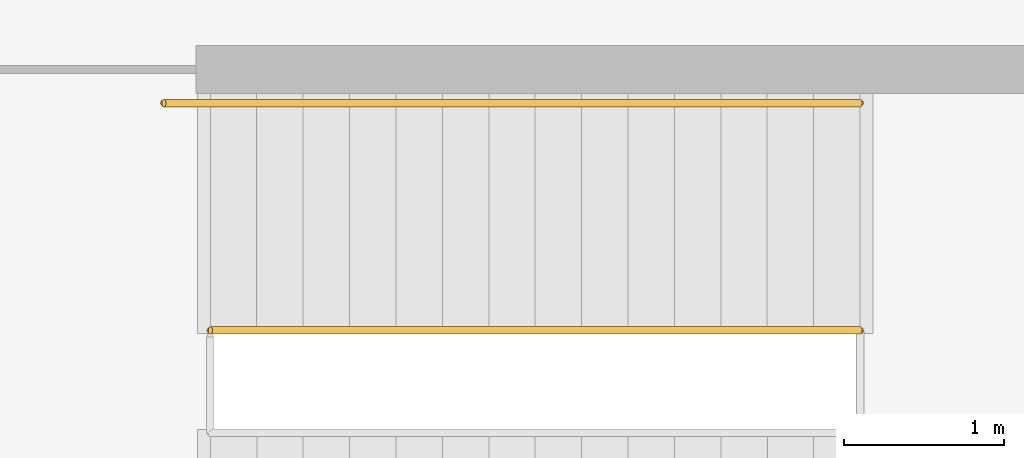
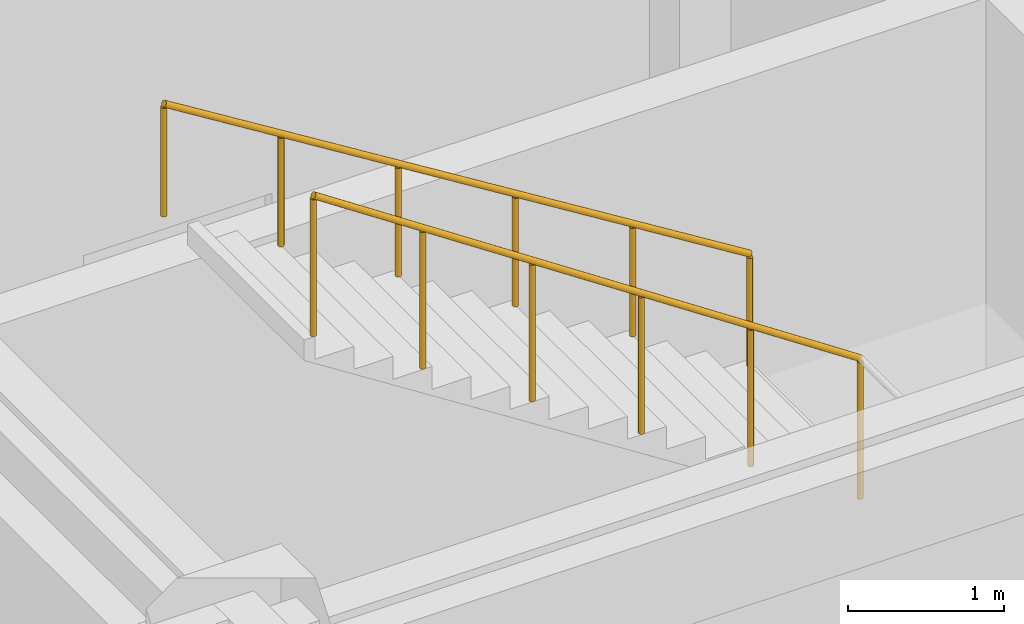
# One storey, part 36 of 36: 2 railings.
"""IFC4 building model written with IfcOpenShell, lengths in metres."""

import ifcopenshell
import ifcopenshell.guid

model = None  # the IFC model being written
_history = None  # IfcOwnerHistory: only IFC2X3 demands one
_inside = {}  # id of a spatial element -> (the spatial element, [elements in it])
_under = {}  # id of a project, library or spatial element -> (it, [spatial elements below it])
_declared = {}  # id of a project -> (the project, [libraries it declares])
_typed = {}  # id of a type object -> (the type object, [elements of that type])
_made_of = {}  # id of a material, layer set ... -> (it, [elements and type objects made of it])


def new_model(schema):
    """Start an empty IFC model of exactly this schema.

    Asked for "IFC4X3", IfcOpenShell would pick the latest addendum, in which some entities
    have other attributes; the version numbers below select the first issue.
    IFC2X3 requires an IfcOwnerHistory on every rooted entity: one is made here for all.
    """
    global model, _history
    if schema == "IFC4X3":
        model = ifcopenshell.file(schema_version=(4, 3, 0, 0))
    else:
        model = ifcopenshell.file(schema=schema)
    _inside.clear()
    _under.clear()
    _declared.clear()
    _typed.clear()
    _made_of.clear()
    _history = None
    if model.schema == "IFC2X3":
        org = make("IfcOrganization", Name="unknown")
        user = make(
            "IfcPersonAndOrganization",
            ThePerson=make("IfcPerson", FamilyName="unknown"),
            TheOrganization=org,
        )
        app = make(
            "IfcApplication",
            ApplicationDeveloper=org,
            Version="unknown",
            ApplicationFullName="unknown",
            ApplicationIdentifier="unknown",
        )
        _history = make(
            "IfcOwnerHistory",
            OwningUser=user,
            OwningApplication=app,
            ChangeAction="ADDED",
            CreationDate=0,
        )
    return model


def make(cls, **values):
    """One entity of the class cls with the attributes given. An attribute that is None is left unset."""
    return model.create_entity(
        cls, **{name: value for name, value in values.items() if value is not None}
    )


def rooted(cls, **values):
    """An entity with a GlobalId (a new one), such as an element, a storey or a relation."""
    return make(cls, GlobalId=ifcopenshell.guid.new(), OwnerHistory=_history, **values)


def si_unit(unit_type, name, prefix=None):
    """IfcSIUnit, for example si_unit("LENGTHUNIT", "METRE", prefix="MILLI")."""
    return make("IfcSIUnit", UnitType=unit_type, Prefix=prefix, Name=name)


def assignment(units):
    """IfcUnitAssignment: the units of a project."""
    return None if units is None else make("IfcUnitAssignment", Units=units)


def point(xyz):
    """IfcCartesianPoint."""
    return None if xyz is None else make("IfcCartesianPoint", Coordinates=xyz)


def direction(xyz):
    """IfcDirection."""
    return None if xyz is None else make("IfcDirection", DirectionRatios=xyz)


def frame(location, z_axis=None, x_axis=None):
    """IfcAxis2Placement3D, a coordinate frame: its origin and axes. An axis left out is left unset."""
    return make(
        "IfcAxis2Placement3D",
        Location=point(location),
        Axis=direction(z_axis),
        RefDirection=direction(x_axis),
    )


def frame_2d(location, x_axis=None):
    """IfcAxis2Placement2D, a coordinate frame in the plane: its origin and x axis."""
    return make(
        "IfcAxis2Placement2D", Location=point(location), RefDirection=direction(x_axis)
    )


def origin():
    """The frame at (0, 0, 0) with its axes left unset."""
    return frame((0.0, 0.0, 0.0))


def origin_2d():
    """The frame at (0, 0) in the plane with its x axis left unset."""
    return frame_2d((0.0, 0.0))


def place(relative_to, where):
    """IfcLocalPlacement: puts the frame where relative to a parent placement (None: the world)."""
    return make(
        "IfcLocalPlacement", PlacementRelTo=relative_to, RelativePlacement=where
    )


def context(
    kind, dimensions, precision=None, world=None, true_north=None, identifier=None
):
    """IfcGeometricRepresentationContext, for example the 3D "Model" context."""
    return make(
        "IfcGeometricRepresentationContext",
        ContextIdentifier=identifier,
        ContextType=kind,
        CoordinateSpaceDimension=dimensions,
        Precision=precision,
        WorldCoordinateSystem=world,
        TrueNorth=true_north,
    )


def subcontext(parent, identifier, kind, view, scale=None):
    """IfcGeometricRepresentationSubContext, for example "Body" below "Model"."""
    return make(
        "IfcGeometricRepresentationSubContext",
        ContextIdentifier=identifier,
        ContextType=kind,
        ParentContext=parent,
        TargetScale=scale,
        TargetView=view,
    )


def project(units=None, contexts=None):
    """IfcProject with its units and contexts."""
    return rooted(
        "IfcProject",
        Name="project",
        RepresentationContexts=contexts,
        UnitsInContext=assignment(units),
    )


def spatial(cls, under=None, at=None, **own):
    """A site, building, storey or space (cls), placed at a placement, below another one or the project."""
    s = rooted(cls, ObjectPlacement=at, **own)
    if under is not None:
        _under.setdefault(under.id(), (under, []))[1].append(s)
    return s


def profile(cls, at=None, kind="AREA", **sizes):
    """A parametric profile (cls). Its sizes go by their IFC names, for example OverallWidth=200.0."""
    return make(cls, ProfileType=kind, Position=at, **sizes)


def circle(**sizes):
    """IfcCircleProfileDef."""
    return profile("IfcCircleProfileDef", **sizes)


def extrude(swept, where, along, depth):
    """IfcExtrudedAreaSolid: the profile swept, set in the frame where, extruded along a direction by depth."""
    return make(
        "IfcExtrudedAreaSolid",
        SweptArea=swept,
        Position=where,
        ExtrudedDirection=direction(along),
        Depth=depth,
    )


def shape(context_of_items, identifier, shape_type, items):
    """IfcShapeRepresentation: the items that make up one representation, for example the "Body"."""
    return make(
        "IfcShapeRepresentation",
        ContextOfItems=context_of_items,
        RepresentationIdentifier=identifier,
        RepresentationType=shape_type,
        Items=items,
    )


def material(Name=None, Category=None):
    """IfcMaterial."""
    return make("IfcMaterial", Name=Name, Category=Category)


def made_of(thing, what):
    """Note that an element or type object is made of a material, layer set ...; save() writes the relation."""
    if what is not None:
        _made_of.setdefault(what.id(), (what, []))[1].append(thing)
    return thing


def type_object(cls, material=None, **own):
    """A type object (cls), such as IfcWallType, which elements share."""
    return made_of(rooted(cls, **own), material)


def element(
    cls,
    number,
    at=None,
    inside=None,
    cuts=None,
    type_object=None,
    material=None,
    context=None,
    identifier="Body",
    shape_type=None,
    held_by="IfcProductDefinitionShape",
    body=None,
    shapes=None,
    **own,
):
    """One element of the class cls, such as IfcWall. Its Tag is "e" and its number.

    at: its placement. inside: the storey or other place that contains it. cuts: it is an
    opening in that element (IfcRelVoidsElement). A single representation is given by context,
    identifier, shape_type and body (its items); several are given by shapes. held_by: the class
    of the entity that holds the representations. save() writes the other relations.
    """
    e = rooted(cls, Tag="e%d" % number, ObjectPlacement=at, **own)
    if body is not None:
        shapes = [shape(context, identifier, shape_type, body)]
    if shapes is not None:
        e.Representation = make(held_by, Representations=shapes)
    if inside is not None:
        _inside.setdefault(inside.id(), (inside, []))[1].append(e)
    if cuts is not None:
        rooted(
            "IfcRelVoidsElement", RelatingBuildingElement=cuts, RelatedOpeningElement=e
        )
    if type_object is not None:
        _typed.setdefault(type_object.id(), (type_object, []))[1].append(e)
    return made_of(e, material)


def aggregate(whole, parts):
    """IfcRelAggregates: a whole, such as a stair, and the parts it consists of."""
    return rooted("IfcRelAggregates", RelatingObject=whole, RelatedObjects=parts)


def save(model, path):
    """Write the relations noted so far, then the file.

    IfcRelAggregates (storeys below a building ...), IfcRelContainedInSpatialStructure (elements
    in a storey), IfcRelDefinesByType, IfcRelAssociatesMaterial and IfcRelDeclares: one each for
    every whole, place, type object, material and project.
    """
    for whole, parts in _under.values():
        aggregate(whole, parts)
    for where, things in _inside.values():
        rooted(
            "IfcRelContainedInSpatialStructure",
            RelatedElements=things,
            RelatingStructure=where,
        )
    for kind, things in _typed.values():
        rooted("IfcRelDefinesByType", RelatedObjects=things, RelatingType=kind)
    for what, things in _made_of.values():
        rooted("IfcRelAssociatesMaterial", RelatedObjects=things, RelatingMaterial=what)
    for by, libraries in _declared.values():
        rooted("IfcRelDeclares", RelatingContext=by, RelatedDefinitions=libraries)
    model.write(path)


model = new_model("IFC4")

# Units and contexts
model_context = context("Model", 3, precision=1e-05, world=origin(), true_north=direction((0.0, 1.0)))
body_context = subcontext(model_context, "Body", "Model", "MODEL_VIEW")
ifc_project = project(units=[si_unit("LENGTHUNIT", "METRE"), si_unit("AREAUNIT", "SQUARE_METRE"), si_unit("VOLUMEUNIT", "CUBIC_METRE"), si_unit("PLANEANGLEUNIT", "RADIAN"), si_unit("MASSUNIT", "GRAM", prefix="KILO")], contexts=[model_context])

# Site, building, storey
site_placement = place(None, origin())
site = spatial("IfcSite", under=ifc_project, at=site_placement, CompositionType="ELEMENT")
building_placement = place(site_placement, origin())
building = spatial("IfcBuilding", under=site, at=building_placement, Name="Vellmiral Cinema and Media Centre", CompositionType="ELEMENT")
storey_placement = place(building_placement, frame((0.0, 0.0, 5.39990234375)))
storey = spatial("IfcBuildingStorey", under=building, at=storey_placement, Name="L01", CompositionType="ELEMENT", Elevation=5.39990234375)

# Railings
ifc_material_1 = material(Name="Brushed Stainless Steel Handrail", Category="steel")
railing_type_1 = type_object("IfcRailingType", Name="RL-HANDRAIL-900", PredefinedType="HANDRAIL", material=ifc_material_1)
railing_1_placement = place(storey_placement, frame((145.909912109375, 91.0400390625, 2.880126953125)))
element("IfcRailing", 1, at=railing_1_placement, inside=storey, type_object=railing_type_1, Name="Stair Wall Handrail ST-T2 L01-2", PredefinedType="HANDRAIL", context=body_context, shape_type="SweptSolid", body=[
    extrude(circle(Radius=0.02392578125, at=origin_2d()), frame((0.0, 0.0, 0.8759765625), z_axis=(-0.849636482215, 0.0, 0.527368797038), x_axis=(0.0, -1.0, 0.0)), (0.0, 0.0, 1.0), 5.11962890625),
    extrude(circle(Radius=0.02099609375, at=origin_2d()), origin(), (0.0, 0.0, 1.0), 0.851806640625),
    extrude(circle(Radius=0.02099609375, at=origin_2d()), frame((-0.869873046875, 0.0, 0.5400390625)), (0.0, 0.0, 1.0), 0.851806640625),
    extrude(circle(Radius=0.02099609375, at=origin_2d()), frame((-1.739990234375, 0.0, 1.080078125)), (0.0, 0.0, 1.0), 0.851806640625),
    extrude(circle(Radius=0.02099609375, at=origin_2d()), frame((-2.60986328125, 0.0, 1.619873046875)), (0.0, 0.0, 1.0), 0.851806640625),
    extrude(circle(Radius=0.02099609375, at=origin_2d()), frame((-3.47998046875, 0.0, 2.159912109375)), (0.0, 0.0, 1.0), 0.851806640625),
    extrude(circle(Radius=0.02099609375, at=origin_2d()), frame((-4.349853515625, 0.0, 2.699951171875)), (0.0, 0.0, 1.0), 0.851806640625),
])
ifc_material_2 = material(Name="Painted Steel Stair Guardrail", Category="steel")
railing_type_2 = type_object("IfcRailingType", Name="RL-STAIR-GUARD-1120", PredefinedType="GUARDRAIL", material=ifc_material_2)
railing_2_placement = place(storey_placement, frame((145.909912109375, 89.6201171875, 2.7001953125)))
element("IfcRailing", 2, at=railing_2_placement, inside=storey, type_object=railing_type_2, Name="Stair Well Guard ST-T2 L01-B", PredefinedType="GUARDRAIL", context=body_context, shape_type="SweptSolid", body=[
    extrude(circle(Radius=0.02392578125, at=origin_2d()), frame((0.0, 0.0, 1.09619140625), z_axis=(-0.832673761873, 0.0, 0.553763854264), x_axis=(0.0, -1.0, 0.0)), (0.0, 0.0, 1.0), 4.875732421875),
    extrude(circle(Radius=0.02099609375, at=origin_2d()), origin(), (0.0, 0.0, 1.0), 1.072021484375),
    extrude(circle(Radius=0.02099609375, at=origin_2d()), frame((-0.81201171875, 0.0, 0.5400390625)), (0.0, 0.0, 1.0), 1.072021484375),
    extrude(circle(Radius=0.02099609375, at=origin_2d()), frame((-1.6240234375, 0.0, 1.080078125)), (0.0, 0.0, 1.0), 1.072021484375),
    extrude(circle(Radius=0.02099609375, at=origin_2d()), frame((-2.435791015625, 0.0, 1.619873046875)), (0.0, 0.0, 1.0), 1.072021484375),
    extrude(circle(Radius=0.02099609375, at=origin_2d()), frame((-3.247802734375, 0.0, 2.159912109375)), (0.0, 0.0, 1.0), 1.072021484375),
    extrude(circle(Radius=0.02099609375, at=origin_2d()), frame((-4.059814453125, 0.0, 2.699951171875)), (0.0, 0.0, 1.0), 1.072021484375),
])

save(model, "model.ifc")
